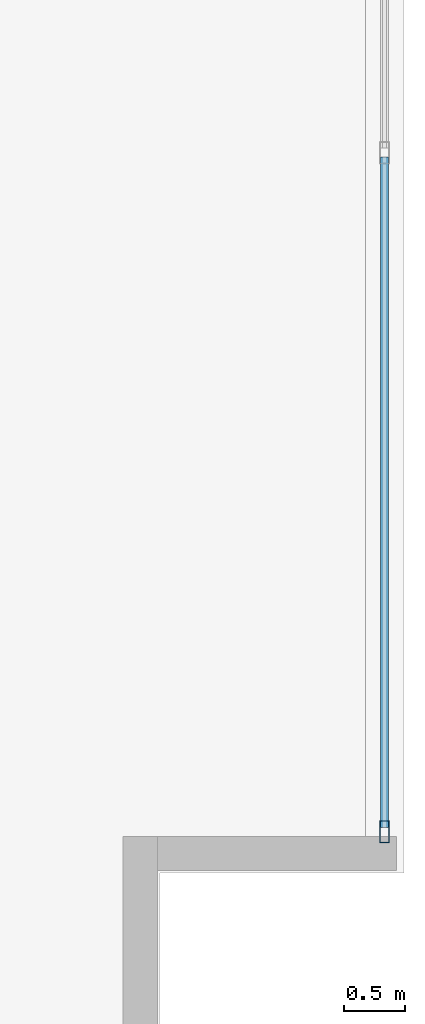
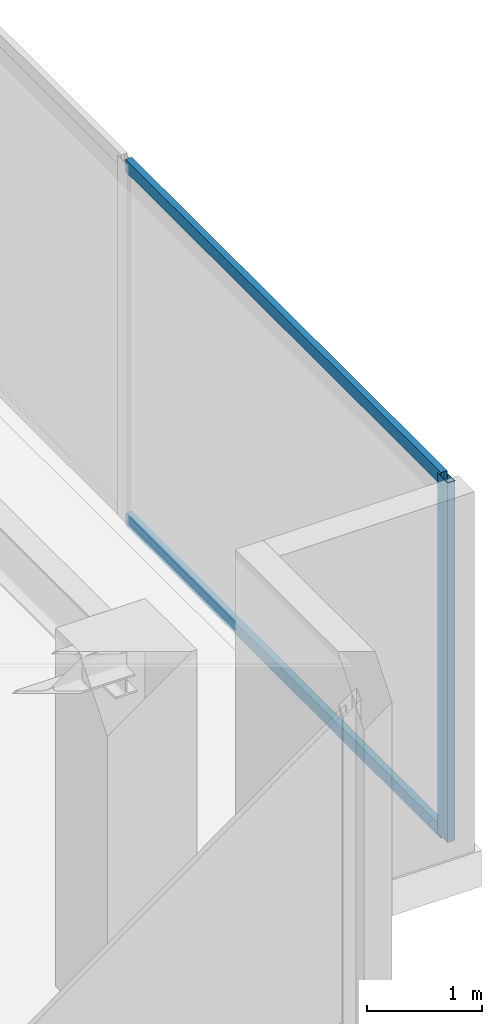
# One storey, part 16 of 32: 3 members, 1 element without a shape of its own.
"""IFC4 building model written with IfcOpenShell, lengths in metres."""

from ifc_helpers import new_model, si_unit, direction, frame, origin, origin_with_axes, origin_2d, place, context, subcontext, project, spatial, hollow_rectangle, extrude, source, transform, mapped, material, layer, layer_set, material_profile, profile_set, type_object, element, aggregate, save


model = new_model("IFC4")

# Units and contexts
model_context = context("Model", 3, precision=1e-05, world=origin(), true_north=direction((0.0, 1.0)))
body_context = subcontext(model_context, "Body", "Model", "MODEL_VIEW")
ifc_project = project(units=[si_unit("LENGTHUNIT", "METRE"), si_unit("AREAUNIT", "SQUARE_METRE"), si_unit("VOLUMEUNIT", "CUBIC_METRE"), si_unit("PLANEANGLEUNIT", "RADIAN"), si_unit("MASSUNIT", "GRAM", prefix="KILO")], contexts=[model_context])

# Site, building, storey
site_placement = place(None, origin())
site = spatial("IfcSite", under=ifc_project, at=site_placement, CompositionType="ELEMENT")
building_placement = place(site_placement, origin())
building = spatial("IfcBuilding", under=site, at=building_placement, Name="Kolvaren Waterfront Exchange", CompositionType="ELEMENT")
storey_placement = place(building_placement, frame((0.0, 0.0, 352.0)))
storey = spatial("IfcBuildingStorey", under=building, at=storey_placement, Name="L90", CompositionType="ELEMENT", Elevation=352.0)

# Curtain wall, members
ifc_material = material(Name="Anodised bronze aluminium 6063-T6", Category="aluminium")
ifc_layer = layer(ifc_material, 0.219970703125, Name="Anodised bronze aluminium 6063-T6")
ifc_layer_set = layer_set([ifc_layer], Name="Anodised bronze aluminium 6063-T6")
curtain_wall_type = type_object("IfcCurtainWallType", Name="ARC-CW-SYS5", PredefinedType="USERDEFINED", material=ifc_layer_set)
curtain_wall_placement = place(storey_placement, origin())
curtain_wall = element("IfcCurtainWall", 1, at=curtain_wall_placement, inside=storey, type_object=curtain_wall_type, Name="L90 stick curtain wall CW5 (CW-L90-ET)", ObjectType="STICK CURTAIN WALL", PredefinedType="USERDEFINED")
ifc_material_profile_1 = material_profile(ifc_material, hollow_rectangle(XDim=0.06494140625, YDim=0.1298828125, WallThickness=0.00390625, at=origin_2d()), Name="ALU-TRN-130x65x4")
ifc_profile_set_1 = profile_set([ifc_material_profile_1], Name="Anodised bronze aluminium 6063-T6")
member_type_1 = type_object("IfcMemberType", Name="ARC-CWT-130", PredefinedType="USERDEFINED", material=ifc_profile_set_1)
shared_shape_1 = source(origin_with_axes(), body_context, "Body", "SweptSolid", [
    extrude(hollow_rectangle(XDim=0.06494140625, YDim=0.1298828125, WallThickness=0.00390625, at=origin_2d()), origin(), (0.0, 0.0, 1.0), 5.4873046875),
])
member_1_placement = place(storey_placement, frame((49.239990234375, 5.97509765625, 0.032470703125), z_axis=(0.0, 1.0, 0.0), x_axis=(-1.0, 0.0, 0.0)))
member_1 = element("IfcMember", 2, at=member_1_placement, type_object=member_type_1, Name="CW5 transom 1.1", ObjectType="TRANSOM", PredefinedType="USERDEFINED", context=body_context, shape_type="MappedRepresentation", body=[
    mapped(shared_shape_1, transform((0.0, 0.0, 0.0), x_axis=(1.0, 0.0, 0.0), y_axis=(0.0, 1.0, 0.0), z_axis=(0.0, 0.0, 1.0), scale=1.0)),
])
member_2_placement = place(storey_placement, frame((49.239990234375, 5.97509765625, 3.78759765625), z_axis=(0.0, 1.0, 0.0), x_axis=(-1.0, 0.0, 0.0)))
member_2 = element("IfcMember", 3, at=member_2_placement, type_object=member_type_1, Name="CW5 transom 1.2", ObjectType="TRANSOM", PredefinedType="USERDEFINED", context=body_context, shape_type="MappedRepresentation", body=[
    mapped(shared_shape_1, transform((0.0, 0.0, 0.0), x_axis=(1.0, 0.0, 0.0), y_axis=(0.0, 1.0, 0.0), z_axis=(0.0, 0.0, 1.0), scale=1.0)),
])
ifc_material_profile_2 = material_profile(ifc_material, hollow_rectangle(XDim=0.074951171875, YDim=0.179931640625, WallThickness=0.00439453125, at=origin_2d()), Name="ALU-MUL-180x75x4.5")
ifc_profile_set_2 = profile_set([ifc_material_profile_2], Name="Anodised bronze aluminium 6063-T6")
member_type_2 = type_object("IfcMemberType", Name="ARC-CWM-180", PredefinedType="MULLION", material=ifc_profile_set_2)
shared_shape_2 = source(origin_with_axes(), body_context, "Body", "SweptSolid", [
    extrude(hollow_rectangle(XDim=0.074951171875, YDim=0.179931640625, WallThickness=0.00439453125, at=origin_2d()), origin(), (0.0, 0.0, 1.0), 3.820068359375),
])
member_3_placement = place(storey_placement, frame((49.239990234375, 5.9375, 0.0), z_axis=(0.0, 0.0, 1.0), x_axis=(-1.0, 0.0, 0.0)))
member_3 = element("IfcMember", 4, at=member_3_placement, type_object=member_type_2, Name="CW5 mullion 1", PredefinedType="MULLION", context=body_context, shape_type="MappedRepresentation", body=[
    mapped(shared_shape_2, transform((0.0, 0.0, 0.0), x_axis=(1.0, 0.0, 0.0), y_axis=(0.0, 1.0, 0.0), z_axis=(0.0, 0.0, 1.0), scale=1.0)),
])
aggregate(curtain_wall, [member_3, member_1, member_2])

save(model, "model.ifc")
